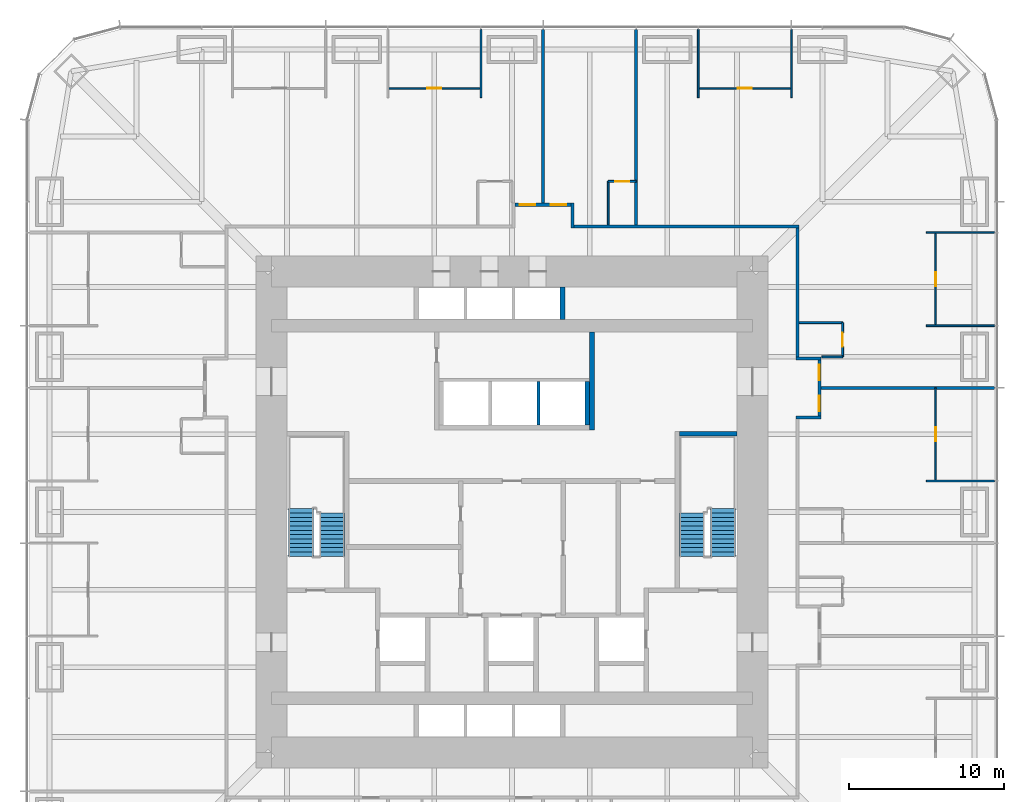
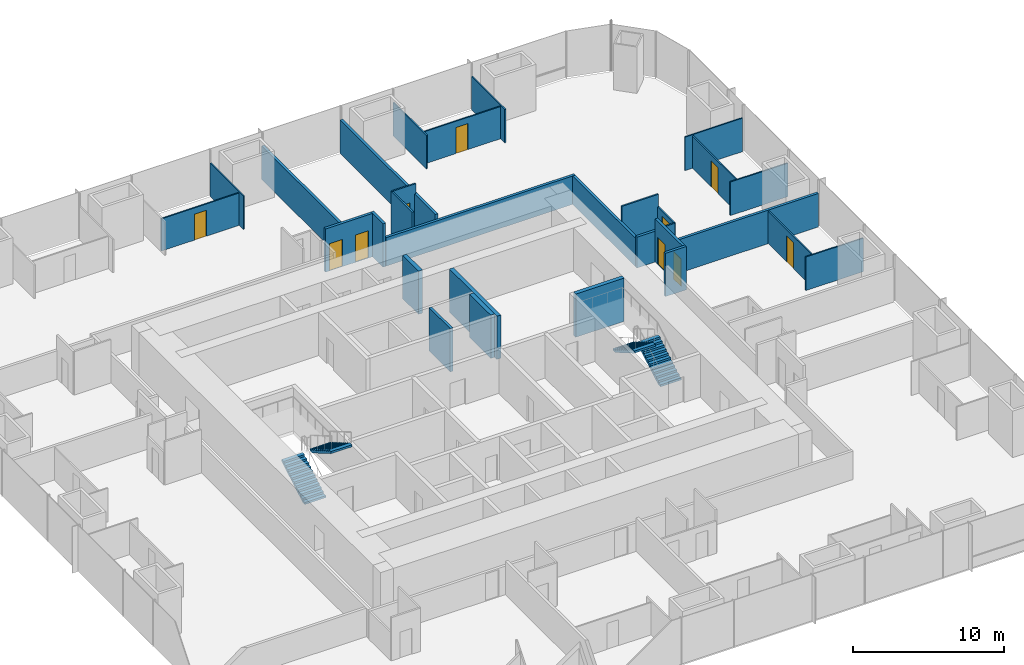
# One storey, part 15 of 16: 30 walls, 10 doors, 4 stair flights, 10 openings, 2 elements without a shape of their own.
"""IFC4 building model written with IfcOpenShell, lengths in metres."""

from ifc_helpers import new_model, si_unit, direction, frame, frame_2d, origin, place, context, subcontext, project, spatial, polyline, rectangle, outline, extrude, material, layer, layer_set, type_object, element, fill, aggregate, save


model = new_model("IFC4")

# Units and contexts
model_context = context("Model", 3, precision=1e-05, world=origin(), true_north=direction((0.0, 1.0)))
body_context = subcontext(model_context, "Body", "Model", "MODEL_VIEW")
ifc_project = project(units=[si_unit("LENGTHUNIT", "METRE"), si_unit("AREAUNIT", "SQUARE_METRE"), si_unit("VOLUMEUNIT", "CUBIC_METRE"), si_unit("PLANEANGLEUNIT", "RADIAN"), si_unit("MASSUNIT", "GRAM", prefix="KILO")], contexts=[model_context])

# Site, building, storey
site_placement = place(None, origin())
site = spatial("IfcSite", under=ifc_project, at=site_placement, CompositionType="ELEMENT")
building_placement = place(site_placement, origin())
building = spatial("IfcBuilding", under=site, at=building_placement, Name="Khuree Lantern Residences", CompositionType="ELEMENT")
storey_placement = place(building_placement, frame((0.0, 0.0, 81.0)))
storey = spatial("IfcBuildingStorey", under=building, at=storey_placement, Name="L20", CompositionType="ELEMENT", Elevation=81.0)

# Wall, opening, door
ifc_material_1 = material(Name="Moisture-resistant gypsum board on steel studs", Category="steel")
ifc_layer_1 = layer(ifc_material_1, 0.125)
ifc_layer_set_1 = layer_set([ifc_layer_1], Name="BATHROOM WALL BTW125")
wall_type_1 = type_object("IfcWallType", Name="BATHROOM WALL BTW125", PredefinedType="PARTITIONING", material=ifc_layer_set_1)
wall_1_placement = place(storey_placement, frame((21.300048828125, 10.0, 0.0), z_axis=(0.0, 0.0, 1.0), x_axis=(0.0, 1.0, 0.0)))
wall_1 = element("IfcWall", 1, at=wall_1_placement, inside=storey, type_object=wall_type_1, Name="L20 BATHROOM WALL 03", PredefinedType="PARTITIONING", context=body_context, shape_type="SweptSolid", body=[
    extrude(rectangle(XDim=2.199951171875, YDim=0.125, at=frame_2d((1.10009765625, 0.0))), origin(), (0.0, 0.0, 1.0), 2.491943359375),
])
opening_1_placement = place(wall_1_placement, frame((0.64990234375, 0.0, 0.0)))
opening_1 = element("IfcOpeningElement", 2, at=opening_1_placement, cuts=wall_1, Name="Opening 20-028", PredefinedType="OPENING", context=body_context, shape_type="SweptSolid", body=[
    extrude(rectangle(XDim=0.89990234375, YDim=2.10009765625, at=frame_2d((0.449951171875, 1.050048828125))), frame((0.0, 0.072509765625, 0.0), z_axis=(0.0, -1.0, 0.0), x_axis=(1.0, 0.0, 0.0)), (0.0, 0.0, 1.0), 0.14501953125),
])
ifc_material_2 = material(Name="Timber door leaf in hardwood frame", Category="wood")
door_type_1 = type_object("IfcDoorType", Name="BATHROOM DOOR 900X2100", OperationType="SINGLE_SWING_LEFT", PredefinedType="DOOR", material=ifc_material_2)
door_1_placement = place(opening_1_placement, origin())
door_1 = element("IfcDoor", 3, at=door_1_placement, inside=storey, type_object=door_type_1, Name="Bathroom door 20-028", OperationType="SINGLE_SWING_LEFT", OverallHeight=2.10009765625, OverallWidth=0.89990234375, PredefinedType="DOOR", context=body_context, shape_type="SweptSolid", body=[
    extrude(rectangle(XDim=0.89990234375, YDim=2.10009765625, at=frame_2d((0.449951171875, 1.050048828125))), frame((0.0, 0.02490234375, 0.0), z_axis=(0.0, -1.0, 0.0), x_axis=(1.0, 0.0, 0.0)), (0.0, 0.0, 1.0), 0.050048828125),
])
fill(opening_1, door_1)

# Walls
wall_2_placement = place(storey_placement, frame((19.969970703125, 10.0, 0.0), z_axis=(0.0, 0.0, 1.0), x_axis=(1.0, 0.0, 0.0)))
element("IfcWall", 4, at=wall_2_placement, inside=storey, type_object=wall_type_1, Name="L20 BATHROOM WALL 03", PredefinedType="PARTITIONING", context=body_context, shape_type="SweptSolid", body=[
    extrude(rectangle(XDim=1.330078125, YDim=0.125, at=frame_2d((0.6650390625, 0.0))), origin(), (0.0, 0.0, 1.0), 2.491943359375),
])
wall_3_placement = place(storey_placement, frame((18.5, 12.199951171875, 0.0), z_axis=(0.0, 0.0, 1.0), x_axis=(1.0, 0.0, 0.0)))
element("IfcWall", 5, at=wall_3_placement, inside=storey, type_object=wall_type_1, Name="L20 BATHROOM WALL 03", PredefinedType="PARTITIONING", context=body_context, shape_type="SweptSolid", body=[
    extrude(rectangle(XDim=2.800048828125, YDim=0.125, at=frame_2d((1.39990234375, 0.0))), origin(), (0.0, 0.0, 1.0), 3.5),
])

# Wall, opening, door
wall_4_placement = place(storey_placement, frame((8.0, 21.300048828125, 0.0), z_axis=(0.0, 0.0, 1.0), x_axis=(-1.0, 0.0, 0.0)))
wall_4 = element("IfcWall", 6, at=wall_4_placement, inside=storey, type_object=wall_type_1, Name="L20 BATHROOM WALL 04", PredefinedType="PARTITIONING", context=body_context, shape_type="SweptSolid", body=[
    extrude(rectangle(XDim=1.800048828125, YDim=0.125, at=frame_2d((0.89990234375, 0.0))), origin(), (0.0, 0.0, 1.0), 3.5),
])
opening_2_placement = place(wall_4_placement, frame((0.449951171875, 0.0, 0.0)))
opening_2 = element("IfcOpeningElement", 7, at=opening_2_placement, cuts=wall_4, Name="Opening 20-030", PredefinedType="OPENING", context=body_context, shape_type="SweptSolid", body=[
    extrude(rectangle(XDim=0.89990234375, YDim=2.10009765625, at=frame_2d((0.449951171875, 1.050048828125))), frame((0.0, 0.072509765625, 0.0), z_axis=(0.0, -1.0, 0.0), x_axis=(1.0, 0.0, 0.0)), (0.0, 0.0, 1.0), 0.14501953125),
])
door_2_placement = place(opening_2_placement, origin())
door_2 = element("IfcDoor", 8, at=door_2_placement, inside=storey, type_object=door_type_1, Name="Bathroom door 20-030", OperationType="SINGLE_SWING_LEFT", OverallHeight=2.10009765625, OverallWidth=0.89990234375, PredefinedType="DOOR", context=body_context, shape_type="SweptSolid", body=[
    extrude(rectangle(XDim=0.89990234375, YDim=2.10009765625, at=frame_2d((0.449951171875, 1.050048828125))), frame((0.0, 0.02490234375, 0.0), z_axis=(0.0, -1.0, 0.0), x_axis=(1.0, 0.0, 0.0)), (0.0, 0.0, 1.0), 0.050048828125),
])
fill(opening_2, door_2)

# Walls
wall_5_placement = place(storey_placement, frame((6.199951171875, 18.5, 0.0), z_axis=(0.0, 0.0, 1.0), x_axis=(0.0, 1.0, 0.0)))
element("IfcWall", 9, at=wall_5_placement, inside=storey, type_object=wall_type_1, Name="L20 BATHROOM WALL 04", PredefinedType="PARTITIONING", context=body_context, shape_type="SweptSolid", body=[
    extrude(rectangle(XDim=2.800048828125, YDim=0.125, at=frame_2d((1.39990234375, 0.0))), origin(), (0.0, 0.0, 1.0), 3.5),
])
ifc_material_3 = material(Name="Dense concrete blockwork", Category="masonry")
ifc_layer_2 = layer(ifc_material_3, 0.300048828125)
ifc_layer_set_2 = layer_set([ifc_layer_2], Name="CORE PARTITION WALL CPW300 EI 120")
wall_type_2 = type_object("IfcWallType", Name="CORE PARTITION WALL CPW300 EI 120", PredefinedType="PARTITIONING", material=ifc_layer_set_2)
wall_6_placement = place(storey_placement, frame((4.85009765625, 5.60009765625, 0.0), z_axis=(0.0, 0.0, 1.0), x_axis=(0.0, 1.0, 0.0)))
element("IfcWall", 10, at=wall_6_placement, inside=storey, type_object=wall_type_2, Name="L20 CORE WALL PHE", PredefinedType="PARTITIONING", context=body_context, shape_type="SweptSolid", body=[
    extrude(rectangle(XDim=2.7998046875, YDim=0.300048828125, at=frame_2d((1.39990234375, 0.0))), origin(), (0.0, 0.0, 1.0), 3.5),
])
wall_7_placement = place(storey_placement, frame((3.25, 12.39990234375, 0.0), z_axis=(0.0, 0.0, 1.0), x_axis=(0.0, 1.0, 0.0)))
element("IfcWall", 11, at=wall_7_placement, inside=storey, type_object=wall_type_2, Name="L20 CORE WALL PLE", PredefinedType="PARTITIONING", context=body_context, shape_type="SweptSolid", body=[
    extrude(rectangle(XDim=2.10009765625, YDim=0.300048828125, at=frame_2d((1.050048828125, 0.0))), origin(), (0.0, 0.0, 1.0), 3.5),
])
wall_8_placement = place(storey_placement, frame((5.14990234375, 5.300048828125, 0.0), z_axis=(0.0, 0.0, 1.0), x_axis=(0.0, 1.0, 0.0)))
element("IfcWall", 12, at=wall_8_placement, inside=storey, type_object=wall_type_2, Name="L20 CORE WALL NE", PredefinedType="PARTITIONING", context=body_context, shape_type="SweptSolid", body=[
    extrude(rectangle(XDim=6.300048828125, YDim=0.300048828125, at=frame_2d((3.14990234375, 0.0))), origin(), (0.0, 0.0, 1.0), 3.5),
])
ifc_material_4 = material(Name="Gypsum board on steel studs", Category="steel")
ifc_layer_3 = layer(ifc_material_4, 0.199951171875)
ifc_layer_set_3 = layer_set([ifc_layer_3], Name="CORRIDOR WALL CRW200 EI 60")
wall_type_3 = type_object("IfcWallType", Name="CORRIDOR WALL CRW200 EI 60", PredefinedType="PARTITIONING", material=ifc_layer_set_3)
wall_9_placement = place(storey_placement, frame((18.300048828125, 6.10009765625, 0.0), z_axis=(0.0, 0.0, 1.0), x_axis=(1.0, 0.0, 0.0)))
element("IfcWall", 13, at=wall_9_placement, inside=storey, type_object=wall_type_3, Name="L20 CORRIDOR ALCOVE WALL EAST", PredefinedType="PARTITIONING", context=body_context, shape_type="SweptSolid", body=[
    extrude(rectangle(XDim=1.599853515625, YDim=0.199951171875, at=frame_2d((0.7998046875, 0.0))), origin(), (0.0, 0.0, 1.0), 3.5),
])
wall_10_placement = place(storey_placement, frame((18.300048828125, 9.89990234375, 0.0), z_axis=(0.0, 0.0, 1.0), x_axis=(1.0, 0.0, 0.0)))
element("IfcWall", 14, at=wall_10_placement, inside=storey, type_object=wall_type_3, Name="L20 CORRIDOR ALCOVE WALL EAST", PredefinedType="PARTITIONING", context=body_context, shape_type="SweptSolid", body=[
    extrude(rectangle(XDim=1.599853515625, YDim=0.199951171875, at=frame_2d((0.7998046875, 0.0))), origin(), (0.0, 0.0, 1.0), 2.491943359375),
])

# Wall, openings, doors
wall_11_placement = place(storey_placement, frame((19.800048828125, 6.199951171875, 0.0), z_axis=(0.0, 0.0, 1.0), x_axis=(0.0, 1.0, 0.0)))
wall_11 = element("IfcWall", 15, at=wall_11_placement, inside=storey, type_object=wall_type_3, Name="L20 CORRIDOR ALCOVE WALL EAST", PredefinedType="PARTITIONING", context=body_context, shape_type="SweptSolid", body=[
    extrude(rectangle(XDim=3.60009765625, YDim=0.199951171875, at=frame_2d((1.800048828125, 0.0))), origin(), (0.0, 0.0, 1.0), 3.5),
])
opening_3_placement = place(wall_11_placement, frame((0.300048828125, 0.0, 0.0)))
opening_3 = element("IfcOpeningElement", 16, at=opening_3_placement, cuts=wall_11, Name="Opening 20-025", PredefinedType="OPENING", context=body_context, shape_type="SweptSolid", body=[
    extrude(rectangle(XDim=1.0, YDim=2.199951171875, at=frame_2d((0.5, 1.10009765625))), frame((0.0, 0.10986328125, 0.0), z_axis=(0.0, -1.0, 0.0), x_axis=(1.0, 0.0, 0.0)), (0.0, 0.0, 1.0), 0.219970703125),
])
opening_4_placement = place(wall_11_placement, frame((2.300048828125, 0.0, 0.0)))
opening_4 = element("IfcOpeningElement", 17, at=opening_4_placement, cuts=wall_11, Name="Opening 20-029", PredefinedType="OPENING", context=body_context, shape_type="SweptSolid", body=[
    extrude(rectangle(XDim=1.0, YDim=2.199951171875, at=frame_2d((0.5, 1.10009765625))), frame((0.0, 0.10986328125, 0.0), z_axis=(0.0, -1.0, 0.0), x_axis=(1.0, 0.0, 0.0)), (0.0, 0.0, 1.0), 0.219970703125),
])
door_type_2 = type_object("IfcDoorType", Name="APARTMENT ENTRANCE DOOR 1000X2200 EI 30S", OperationType="SINGLE_SWING_LEFT", PredefinedType="DOOR", material=ifc_material_2)
door_3_placement = place(opening_3_placement, origin())
door_3 = element("IfcDoor", 18, at=door_3_placement, inside=storey, type_object=door_type_2, Name="Apartment 02 entrance door 20-025", OperationType="SINGLE_SWING_LEFT", OverallHeight=2.199951171875, OverallWidth=1.0, PredefinedType="DOOR", context=body_context, shape_type="SweptSolid", body=[
    extrude(rectangle(XDim=1.0, YDim=2.199951171875, at=frame_2d((0.5, 1.10009765625))), frame((0.0, 0.02490234375, 0.0), z_axis=(0.0, -1.0, 0.0), x_axis=(1.0, 0.0, 0.0)), (0.0, 0.0, 1.0), 0.050048828125),
])
fill(opening_3, door_3)
door_type_3 = type_object("IfcDoorType", Name="APARTMENT ENTRANCE DOOR 1000X2200 EI 30S RIGHT HAND", OperationType="SINGLE_SWING_RIGHT", PredefinedType="DOOR", material=ifc_material_2)
door_4_placement = place(opening_4_placement, origin())
door_4 = element("IfcDoor", 19, at=door_4_placement, inside=storey, type_object=door_type_3, Name="Apartment 03 entrance door 20-029", OperationType="SINGLE_SWING_RIGHT", OverallHeight=2.199951171875, OverallWidth=1.0, PredefinedType="DOOR", context=body_context, shape_type="SweptSolid", body=[
    extrude(rectangle(XDim=1.0, YDim=2.199951171875, at=frame_2d((0.5, 1.10009765625))), frame((0.0, 0.02490234375, 0.0), z_axis=(0.0, -1.0, 0.0), x_axis=(1.0, 0.0, 0.0)), (0.0, 0.0, 1.0), 0.050048828125),
])
fill(opening_4, door_4)

# Walls
wall_12_placement = place(storey_placement, frame((18.39990234375, 10.0, 0.0), z_axis=(0.0, 0.0, 1.0), x_axis=(0.0, 1.0, 0.0)))
element("IfcWall", 20, at=wall_12_placement, inside=storey, type_object=wall_type_3, Name="L20 CORRIDOR WALL EAST 3", PredefinedType="PARTITIONING", context=body_context, shape_type="SweptSolid", body=[
    extrude(rectangle(XDim=8.300048828125, YDim=0.199951171875, at=frame_2d((4.14990234375, 0.0))), origin(), (0.0, 0.0, 1.0), 2.300048828125),
])
wall_13_placement = place(storey_placement, frame((3.89990234375, 18.300048828125, 0.0), z_axis=(0.0, 0.0, 1.0), x_axis=(0.0, 1.0, 0.0)))
element("IfcWall", 21, at=wall_13_placement, inside=storey, type_object=wall_type_3, Name="L20 CORRIDOR ALCOVE WALL NORTH", PredefinedType="PARTITIONING", context=body_context, shape_type="SweptSolid", body=[
    extrude(rectangle(XDim=1.599853515625, YDim=0.199951171875, at=frame_2d((0.7998046875, 0.0))), origin(), (0.0, 0.0, 1.0), 3.5),
])

# Wall, openings, doors
wall_14_placement = place(storey_placement, frame((0.199951171875, 19.800048828125, 0.0), z_axis=(0.0, 0.0, 1.0), x_axis=(1.0, 0.0, 0.0)))
wall_14 = element("IfcWall", 22, at=wall_14_placement, inside=storey, type_object=wall_type_3, Name="L20 CORRIDOR ALCOVE WALL NORTH", PredefinedType="PARTITIONING", context=body_context, shape_type="SweptSolid", body=[
    extrude(rectangle(XDim=3.60009765625, YDim=0.199951171875, at=frame_2d((1.800048828125, 0.0))), origin(), (0.0, 0.0, 1.0), 3.5),
])
opening_5_placement = place(wall_14_placement, frame((2.300048828125, 0.0, 0.0)))
opening_5 = element("IfcOpeningElement", 23, at=opening_5_placement, cuts=wall_14, Name="Opening 20-031", PredefinedType="OPENING", context=body_context, shape_type="SweptSolid", body=[
    extrude(rectangle(XDim=1.0, YDim=2.199951171875, at=frame_2d((0.5, 1.10009765625))), frame((0.0, 0.10986328125, 0.0), z_axis=(0.0, -1.0, 0.0), x_axis=(1.0, 0.0, 0.0)), (0.0, 0.0, 1.0), 0.219970703125),
])
opening_6_placement = place(wall_14_placement, frame((0.300048828125, 0.0, 0.0)))
opening_6 = element("IfcOpeningElement", 24, at=opening_6_placement, cuts=wall_14, Name="Opening 20-035", PredefinedType="OPENING", context=body_context, shape_type="SweptSolid", body=[
    extrude(rectangle(XDim=1.0, YDim=2.199951171875, at=frame_2d((0.5, 1.10009765625))), frame((0.0, 0.10986328125, 0.0), z_axis=(0.0, -1.0, 0.0), x_axis=(1.0, 0.0, 0.0)), (0.0, 0.0, 1.0), 0.219970703125),
])
door_5_placement = place(opening_5_placement, origin())
door_5 = element("IfcDoor", 25, at=door_5_placement, inside=storey, type_object=door_type_2, Name="Apartment 04 entrance door 20-031", OperationType="SINGLE_SWING_LEFT", OverallHeight=2.199951171875, OverallWidth=1.0, PredefinedType="DOOR", context=body_context, shape_type="SweptSolid", body=[
    extrude(rectangle(XDim=1.0, YDim=2.199951171875, at=frame_2d((0.5, 1.10009765625))), frame((0.0, 0.02490234375, 0.0), z_axis=(0.0, -1.0, 0.0), x_axis=(1.0, 0.0, 0.0)), (0.0, 0.0, 1.0), 0.050048828125),
])
fill(opening_5, door_5)
door_6_placement = place(opening_6_placement, origin())
door_6 = element("IfcDoor", 26, at=door_6_placement, inside=storey, type_object=door_type_2, Name="Apartment 05 entrance door 20-035", OperationType="SINGLE_SWING_LEFT", OverallHeight=2.199951171875, OverallWidth=1.0, PredefinedType="DOOR", context=body_context, shape_type="SweptSolid", body=[
    extrude(rectangle(XDim=1.0, YDim=2.199951171875, at=frame_2d((0.5, 1.10009765625))), frame((0.0, 0.02490234375, 0.0), z_axis=(0.0, -1.0, 0.0), x_axis=(1.0, 0.0, 0.0)), (0.0, 0.0, 1.0), 0.050048828125),
])
fill(opening_6, door_6)

# Walls
wall_15_placement = place(storey_placement, frame((4.0, 18.39990234375, 0.0), z_axis=(0.0, 0.0, 1.0), x_axis=(1.0, 0.0, 0.0)))
element("IfcWall", 27, at=wall_15_placement, inside=storey, type_object=wall_type_3, Name="L20 CORRIDOR WALL NORTH 2", PredefinedType="PARTITIONING", context=body_context, shape_type="SweptSolid", body=[
    extrude(rectangle(XDim=14.5, YDim=0.199951171875, at=frame_2d((7.25, 0.0))), origin(), (0.0, 0.0, 1.0), 2.300048828125),
])
ifc_layer_4 = layer(ifc_material_4, 0.199951171875)
ifc_layer_set_4 = layer_set([ifc_layer_4], Name="DEMISING WALL DMW200 EI 90")
wall_type_4 = type_object("IfcWallType", Name="DEMISING WALL DMW200 EI 90", PredefinedType="PARTITIONING", material=ifc_layer_set_4)
wall_16_placement = place(storey_placement, frame((19.89990234375, 8.0, 0.0), z_axis=(0.0, 0.0, 1.0), x_axis=(1.0, 0.0, 0.0)))
element("IfcWall", 28, at=wall_16_placement, inside=storey, type_object=wall_type_4, Name="L20 DEMISING WALL 03", PredefinedType="PARTITIONING", context=body_context, shape_type="SweptSolid", body=[
    extrude(rectangle(XDim=11.2001953125, YDim=0.199951171875, at=frame_2d((5.60009765625, 0.0))), origin(), (0.0, 0.0, 1.0), 2.7099609375),
])
wall_17_placement = place(storey_placement, frame((8.0, 18.5, 0.0), z_axis=(0.0, 0.0, 1.0), x_axis=(0.0, 1.0, 0.0)))
element("IfcWall", 29, at=wall_17_placement, inside=storey, type_object=wall_type_4, Name="L20 DEMISING WALL 04", PredefinedType="PARTITIONING", context=body_context, shape_type="SweptSolid", body=[
    extrude(rectangle(XDim=12.60009765625, YDim=0.199951171875, at=frame_2d((6.300048828125, 0.0))), origin(), (0.0, 0.0, 1.0), 2.7099609375),
])
wall_18_placement = place(storey_placement, frame((2.0, 19.89990234375, 0.0), z_axis=(0.0, 0.0, 1.0), x_axis=(0.0, 1.0, 0.0)))
element("IfcWall", 30, at=wall_18_placement, inside=storey, type_object=wall_type_4, Name="L20 DEMISING WALL 05", PredefinedType="PARTITIONING", context=body_context, shape_type="SweptSolid", body=[
    extrude(rectangle(XDim=11.2001953125, YDim=0.199951171875, at=frame_2d((5.60009765625, 0.0))), origin(), (0.0, 0.0, 1.0), 2.7099609375),
])
ifc_layer_5 = layer(ifc_material_4, 0.10009765625)
ifc_layer_set_5 = layer_set([ifc_layer_5], Name="PARTITION PT100")
wall_type_5 = type_object("IfcWallType", Name="PARTITION PT100", PredefinedType="PARTITIONING", material=ifc_layer_set_5)
for number, where, z_axis, x_axis, name in (
    (31, (26.699951171875, 2.0, 0.0), (0.0, 0.0, 1.0), (1.0, 0.0, 0.0), "L20 PARTITION 02"),
    (32, (26.699951171875, 12.0, 0.0), (0.0, 0.0, 1.0), (1.0, 0.0, 0.0), "L20 PARTITION 03"),
    (33, (26.699951171875, 18.0, 0.0), (0.0, 0.0, 1.0), (1.0, 0.0, 0.0), "L20 PARTITION 03"),
    (34, (18.0, 26.699951171875, 0.0), (0.0, 0.0, 1.0), (0.0, 1.0, 0.0), "L20 PARTITION 03"),
    (35, (12.0, 26.699951171875, 0.0), (0.0, 0.0, 1.0), (0.0, 1.0, 0.0), "L20 PARTITION 03"),
    (36, (-2.0, 26.699951171875, 0.0), (0.0, 0.0, 1.0), (0.0, 1.0, 0.0), "L20 PARTITION 05"),
):
    element("IfcWall", number, at=place(storey_placement, frame(where, z_axis=z_axis, x_axis=x_axis)), inside=storey, type_object=wall_type_5, Name=name, PredefinedType="PARTITIONING", context=body_context, shape_type="SweptSolid", body=[
        extrude(rectangle(XDim=4.400146484375, YDim=0.10009765625, at=frame_2d((2.2001953125, 0.0))), origin(), (0.0, 0.0, 1.0), 2.7099609375),
    ])

# Wall, opening, door
wall_19_placement = place(storey_placement, frame((27.300048828125, 2.0, 0.0), z_axis=(0.0, 0.0, 1.0), x_axis=(0.0, 1.0, 0.0)))
wall_19 = element("IfcWall", 37, at=wall_19_placement, inside=storey, type_object=wall_type_5, Name="L20 PARTITION 02", PredefinedType="PARTITIONING", context=body_context, shape_type="SweptSolid", body=[
    extrude(rectangle(XDim=6.0, YDim=0.10009765625, at=frame_2d((3.0, 0.0))), origin(), (0.0, 0.0, 1.0), 2.610107421875),
])
opening_7_placement = place(wall_19_placement, frame((2.550048828125, 0.0, 0.0)))
opening_7 = element("IfcOpeningElement", 38, at=opening_7_placement, cuts=wall_19, Name="Opening 20-023", PredefinedType="OPENING", context=body_context, shape_type="SweptSolid", body=[
    extrude(rectangle(XDim=0.89990234375, YDim=2.10009765625, at=frame_2d((0.449951171875, 1.050048828125))), frame((0.0, 0.06005859375, 0.0), z_axis=(0.0, -1.0, 0.0), x_axis=(1.0, 0.0, 0.0)), (0.0, 0.0, 1.0), 0.1201171875),
])
door_type_4 = type_object("IfcDoorType", Name="BEDROOM DOOR 900X2100", OperationType="SINGLE_SWING_LEFT", PredefinedType="DOOR", material=ifc_material_2)
door_7_placement = place(opening_7_placement, origin())
door_7 = element("IfcDoor", 39, at=door_7_placement, inside=storey, type_object=door_type_4, Name="Bedroom door 20-023", OperationType="SINGLE_SWING_LEFT", OverallHeight=2.10009765625, OverallWidth=0.89990234375, PredefinedType="DOOR", context=body_context, shape_type="SweptSolid", body=[
    extrude(rectangle(XDim=0.89990234375, YDim=2.10009765625, at=frame_2d((0.449951171875, 1.050048828125))), frame((0.0, 0.02490234375, 0.0), z_axis=(0.0, -1.0, 0.0), x_axis=(1.0, 0.0, 0.0)), (0.0, 0.0, 1.0), 0.050048828125),
])
fill(opening_7, door_7)

wall_20_placement = place(storey_placement, frame((27.300048828125, 12.0, 0.0), z_axis=(0.0, 0.0, 1.0), x_axis=(0.0, 1.0, 0.0)))
wall_20 = element("IfcWall", 40, at=wall_20_placement, inside=storey, type_object=wall_type_5, Name="L20 PARTITION 03", PredefinedType="PARTITIONING", context=body_context, shape_type="SweptSolid", body=[
    extrude(rectangle(XDim=6.0, YDim=0.10009765625, at=frame_2d((3.0, 0.0))), origin(), (0.0, 0.0, 1.0), 2.610107421875),
])
opening_8_placement = place(wall_20_placement, frame((2.550048828125, 0.0, 0.0)))
opening_8 = element("IfcOpeningElement", 41, at=opening_8_placement, cuts=wall_20, Name="Opening 20-026", PredefinedType="OPENING", context=body_context, shape_type="SweptSolid", body=[
    extrude(rectangle(XDim=0.89990234375, YDim=2.10009765625, at=frame_2d((0.449951171875, 1.050048828125))), frame((0.0, 0.06005859375, 0.0), z_axis=(0.0, -1.0, 0.0), x_axis=(1.0, 0.0, 0.0)), (0.0, 0.0, 1.0), 0.1201171875),
])
door_8_placement = place(opening_8_placement, origin())
door_8 = element("IfcDoor", 42, at=door_8_placement, inside=storey, type_object=door_type_4, Name="Bedroom door 20-026", OperationType="SINGLE_SWING_LEFT", OverallHeight=2.10009765625, OverallWidth=0.89990234375, PredefinedType="DOOR", context=body_context, shape_type="SweptSolid", body=[
    extrude(rectangle(XDim=0.89990234375, YDim=2.10009765625, at=frame_2d((0.449951171875, 1.050048828125))), frame((0.0, 0.02490234375, 0.0), z_axis=(0.0, -1.0, 0.0), x_axis=(1.0, 0.0, 0.0)), (0.0, 0.0, 1.0), 0.050048828125),
])
fill(opening_8, door_8)

wall_21_placement = place(storey_placement, frame((18.0, 27.300048828125, 0.0), z_axis=(0.0, 0.0, 1.0), x_axis=(-1.0, 0.0, 0.0)))
wall_21 = element("IfcWall", 43, at=wall_21_placement, inside=storey, type_object=wall_type_5, Name="L20 PARTITION 03", PredefinedType="PARTITIONING", context=body_context, shape_type="SweptSolid", body=[
    extrude(rectangle(XDim=6.0, YDim=0.10009765625, at=frame_2d((3.0, 0.0))), origin(), (0.0, 0.0, 1.0), 2.610107421875),
])
opening_9_placement = place(wall_21_placement, frame((2.550048828125, 0.0, 0.0)))
opening_9 = element("IfcOpeningElement", 44, at=opening_9_placement, cuts=wall_21, Name="Opening 20-027", PredefinedType="OPENING", context=body_context, shape_type="SweptSolid", body=[
    extrude(rectangle(XDim=0.89990234375, YDim=2.10009765625, at=frame_2d((0.449951171875, 1.050048828125))), frame((0.0, 0.06005859375, 0.0), z_axis=(0.0, -1.0, 0.0), x_axis=(1.0, 0.0, 0.0)), (0.0, 0.0, 1.0), 0.1201171875),
])
door_9_placement = place(opening_9_placement, origin())
door_9 = element("IfcDoor", 45, at=door_9_placement, inside=storey, type_object=door_type_4, Name="Bedroom door 20-027", OperationType="SINGLE_SWING_LEFT", OverallHeight=2.10009765625, OverallWidth=0.89990234375, PredefinedType="DOOR", context=body_context, shape_type="SweptSolid", body=[
    extrude(rectangle(XDim=0.89990234375, YDim=2.10009765625, at=frame_2d((0.449951171875, 1.050048828125))), frame((0.0, 0.02490234375, 0.0), z_axis=(0.0, -1.0, 0.0), x_axis=(1.0, 0.0, 0.0)), (0.0, 0.0, 1.0), 0.050048828125),
])
fill(opening_9, door_9)

wall_22_placement = place(storey_placement, frame((-2.0, 27.300048828125, 0.0), z_axis=(0.0, 0.0, 1.0), x_axis=(-1.0, 0.0, 0.0)))
wall_22 = element("IfcWall", 46, at=wall_22_placement, inside=storey, type_object=wall_type_5, Name="L20 PARTITION 05", PredefinedType="PARTITIONING", context=body_context, shape_type="SweptSolid", body=[
    extrude(rectangle(XDim=6.0, YDim=0.10009765625, at=frame_2d((3.0, 0.0))), origin(), (0.0, 0.0, 1.0), 2.610107421875),
])
opening_10_placement = place(wall_22_placement, frame((2.550048828125, 0.0, 0.0)))
opening_10 = element("IfcOpeningElement", 47, at=opening_10_placement, cuts=wall_22, Name="Opening 20-032", PredefinedType="OPENING", context=body_context, shape_type="SweptSolid", body=[
    extrude(rectangle(XDim=0.89990234375, YDim=2.10009765625, at=frame_2d((0.449951171875, 1.050048828125))), frame((0.0, 0.06005859375, 0.0), z_axis=(0.0, -1.0, 0.0), x_axis=(1.0, 0.0, 0.0)), (0.0, 0.0, 1.0), 0.1201171875),
])
door_10_placement = place(opening_10_placement, origin())
door_10 = element("IfcDoor", 48, at=door_10_placement, inside=storey, type_object=door_type_4, Name="Bedroom door 20-032", OperationType="SINGLE_SWING_LEFT", OverallHeight=2.10009765625, OverallWidth=0.89990234375, PredefinedType="DOOR", context=body_context, shape_type="SweptSolid", body=[
    extrude(rectangle(XDim=0.89990234375, YDim=2.10009765625, at=frame_2d((0.449951171875, 1.050048828125))), frame((0.0, 0.02490234375, 0.0), z_axis=(0.0, -1.0, 0.0), x_axis=(1.0, 0.0, 0.0)), (0.0, 0.0, 1.0), 0.050048828125),
])
fill(opening_10, door_10)

# Walls
ifc_layer_6 = layer(ifc_material_3, 0.199951171875)
ifc_layer_set_6 = layer_set([ifc_layer_6], Name="SHAFT WALL SHW200 EI 120")
wall_type_6 = type_object("IfcWallType", Name="SHAFT WALL SHW200 EI 120", PredefinedType="PARTITIONING", material=ifc_layer_set_6)
wall_23_placement = place(storey_placement, frame((1.699951171875, 5.60009765625, 0.0), z_axis=(0.0, 0.0, 1.0), x_axis=(0.0, 1.0, 0.0)))
element("IfcWall", 49, at=wall_23_placement, inside=storey, type_object=wall_type_6, Name="L20 CORE WALL PHD2", PredefinedType="PARTITIONING", context=body_context, shape_type="SweptSolid", body=[
    extrude(rectangle(XDim=2.7998046875, YDim=0.199951171875, at=frame_2d((1.39990234375, 0.0))), origin(), (0.0, 0.0, 1.0), 3.5),
])
ifc_material_5 = material(Name="Concrete C50/60", Category="concrete")
ifc_layer_7 = layer(ifc_material_5, 0.300048828125)
ifc_layer_set_7 = layer_set([ifc_layer_7], Name="STAIR WALL SRW300 C50/60 REI 240")
wall_type_7 = type_object("IfcWallType", Name="STAIR WALL SRW300 C50/60 REI 240", PredefinedType="SOLIDWALL", material=ifc_layer_set_7)
wall_24_placement = place(storey_placement, frame((14.5, 5.050048828125, 0.0), z_axis=(0.0, 0.0, 1.0), x_axis=(-1.0, 0.0, 0.0)))
element("IfcWall", 50, at=wall_24_placement, inside=storey, type_object=wall_type_7, Name="L20 STAIR WALL ST2N", PredefinedType="SOLIDWALL", context=body_context, shape_type="SweptSolid", body=[
    extrude(rectangle(XDim=3.699951171875, YDim=0.300048828125, at=frame_2d((1.85009765625, 0.0))), origin(), (0.0, 0.0, 1.0), 3.5),
])

# Stair, stair flights
ifc_material_6 = material(Name="Concrete C40/50", Category="concrete")
stair_type = type_object("IfcStairType", Name="STAIR ST1 HALF TURN 3600", PredefinedType="HALF_TURN_STAIR", material=ifc_material_6)
stair_1_placement = place(storey_placement, origin())
stair_1 = element("IfcStair", 51, at=stair_1_placement, inside=storey, type_object=stair_type, Name="Stair ST1", PredefinedType="HALF_TURN_STAIR")
stair_flight_type = type_object("IfcStairFlightType", Name="STAIR FLIGHT SF1 1600", PredefinedType="STRAIGHT", material=ifc_material_6)
stair_flight_1_placement = place(storey_placement, frame((-13.60009765625, -2.860107421875, 0.0), z_axis=(0.0, 0.0, 1.0), x_axis=(0.0, 1.0, 0.0)))
stair_flight_1 = element("IfcStairFlight", 52, at=stair_flight_1_placement, type_object=stair_flight_type, Name="ST1 flight 1", NumberOfRisers=12, NumberOfTreads=11, PredefinedType="STRAIGHT", RiserHeight=0.163043478, TreadLength=0.28, context=body_context, shape_type="SweptSolid", body=[
    extrude(outline(polyline([(0.0, 0.0), (0.0, 0.1630859375), (0.280029296875, 0.1630859375), (0.280029296875, 0.326171875), (0.56005859375, 0.326171875), (0.56005859375, 0.489013671875), (0.840087890625, 0.489013671875), (0.840087890625, 0.652099609375), (1.1201171875, 0.652099609375), (1.1201171875, 0.815185546875), (1.39990234375, 0.815185546875), (1.39990234375, 0.978271484375), (1.679931640625, 0.978271484375), (1.679931640625, 1.141357421875), (1.9599609375, 1.141357421875), (1.9599609375, 1.304443359375), (2.239990234375, 1.304443359375), (2.239990234375, 1.46728515625), (2.52001953125, 1.46728515625), (2.52001953125, 1.63037109375), (2.800048828125, 1.63037109375), (2.800048828125, 1.79345703125), (3.080078125, 1.79345703125), (3.080078125, 1.95654296875), (3.080078125, 1.6201171875), (0.2978515625, 0.0), (0.0, 0.0)])), frame((0.0, 0.800048828125, 0.0), z_axis=(0.0, -1.0, 0.0), x_axis=(1.0, 0.0, 0.0)), (0.0, 0.0, 1.0), 1.60009765625),
])
stair_flight_2_placement = place(storey_placement, frame((-11.60009765625, -0.06005859375, 1.95654296875), z_axis=(0.0, 0.0, 1.0), x_axis=(0.0, -1.0, 0.0)))
stair_flight_2 = element("IfcStairFlight", 53, at=stair_flight_2_placement, type_object=stair_flight_type, Name="ST1 flight 2", NumberOfRisers=11, NumberOfTreads=10, PredefinedType="STRAIGHT", RiserHeight=0.163043478, TreadLength=0.28, context=body_context, shape_type="SweptSolid", body=[
    extrude(outline(polyline([(0.0, 0.0), (0.0, 0.1630859375), (0.280029296875, 0.1630859375), (0.280029296875, 0.326171875), (0.56005859375, 0.326171875), (0.56005859375, 0.489013671875), (0.840087890625, 0.489013671875), (0.840087890625, 0.652099609375), (1.1201171875, 0.652099609375), (1.1201171875, 0.815185546875), (1.39990234375, 0.815185546875), (1.39990234375, 0.978271484375), (1.679931640625, 0.978271484375), (1.679931640625, 1.141357421875), (1.9599609375, 1.141357421875), (1.9599609375, 1.304443359375), (2.239990234375, 1.304443359375), (2.239990234375, 1.46728515625), (2.52001953125, 1.46728515625), (2.52001953125, 1.63037109375), (2.800048828125, 1.63037109375), (2.800048828125, 1.79345703125), (2.800048828125, 1.45703125), (0.2978515625, 0.0), (0.0, 0.0)])), frame((0.0, 0.800048828125, 0.0), z_axis=(0.0, -1.0, 0.0), x_axis=(1.0, 0.0, 0.0)), (0.0, 0.0, 1.0), 1.60009765625),
])
aggregate(stair_1, [stair_flight_1, stair_flight_2])

stair_2_placement = place(storey_placement, origin())
stair_2 = element("IfcStair", 54, at=stair_2_placement, inside=storey, type_object=stair_type, Name="Stair ST2", PredefinedType="HALF_TURN_STAIR")
stair_flight_3_placement = place(storey_placement, frame((13.60009765625, -2.860107421875, 0.0), z_axis=(0.0, 0.0, 1.0), x_axis=(0.0, 1.0, 0.0)))
stair_flight_3 = element("IfcStairFlight", 55, at=stair_flight_3_placement, type_object=stair_flight_type, Name="ST2 flight 1", NumberOfRisers=12, NumberOfTreads=11, PredefinedType="STRAIGHT", RiserHeight=0.163043478, TreadLength=0.28, context=body_context, shape_type="SweptSolid", body=[
    extrude(outline(polyline([(0.0, 0.0), (0.0, 0.1630859375), (0.280029296875, 0.1630859375), (0.280029296875, 0.326171875), (0.56005859375, 0.326171875), (0.56005859375, 0.489013671875), (0.840087890625, 0.489013671875), (0.840087890625, 0.652099609375), (1.1201171875, 0.652099609375), (1.1201171875, 0.815185546875), (1.39990234375, 0.815185546875), (1.39990234375, 0.978271484375), (1.679931640625, 0.978271484375), (1.679931640625, 1.141357421875), (1.9599609375, 1.141357421875), (1.9599609375, 1.304443359375), (2.239990234375, 1.304443359375), (2.239990234375, 1.46728515625), (2.52001953125, 1.46728515625), (2.52001953125, 1.63037109375), (2.800048828125, 1.63037109375), (2.800048828125, 1.79345703125), (3.080078125, 1.79345703125), (3.080078125, 1.95654296875), (3.080078125, 1.6201171875), (0.2978515625, 0.0), (0.0, 0.0)])), frame((0.0, 0.800048828125, 0.0), z_axis=(0.0, -1.0, 0.0), x_axis=(1.0, 0.0, 0.0)), (0.0, 0.0, 1.0), 1.60009765625),
])
stair_flight_4_placement = place(storey_placement, frame((11.60009765625, -0.06005859375, 1.95654296875), z_axis=(0.0, 0.0, 1.0), x_axis=(0.0, -1.0, 0.0)))
stair_flight_4 = element("IfcStairFlight", 56, at=stair_flight_4_placement, type_object=stair_flight_type, Name="ST2 flight 2", NumberOfRisers=11, NumberOfTreads=10, PredefinedType="STRAIGHT", RiserHeight=0.163043478, TreadLength=0.28, context=body_context, shape_type="SweptSolid", body=[
    extrude(outline(polyline([(0.0, 0.0), (0.0, 0.1630859375), (0.280029296875, 0.1630859375), (0.280029296875, 0.326171875), (0.56005859375, 0.326171875), (0.56005859375, 0.489013671875), (0.840087890625, 0.489013671875), (0.840087890625, 0.652099609375), (1.1201171875, 0.652099609375), (1.1201171875, 0.815185546875), (1.39990234375, 0.815185546875), (1.39990234375, 0.978271484375), (1.679931640625, 0.978271484375), (1.679931640625, 1.141357421875), (1.9599609375, 1.141357421875), (1.9599609375, 1.304443359375), (2.239990234375, 1.304443359375), (2.239990234375, 1.46728515625), (2.52001953125, 1.46728515625), (2.52001953125, 1.63037109375), (2.800048828125, 1.63037109375), (2.800048828125, 1.79345703125), (2.800048828125, 1.45703125), (0.2978515625, 0.0), (0.0, 0.0)])), frame((0.0, 0.800048828125, 0.0), z_axis=(0.0, -1.0, 0.0), x_axis=(1.0, 0.0, 0.0)), (0.0, 0.0, 1.0), 1.60009765625),
])
aggregate(stair_2, [stair_flight_3, stair_flight_4])

save(model, "model.ifc")
